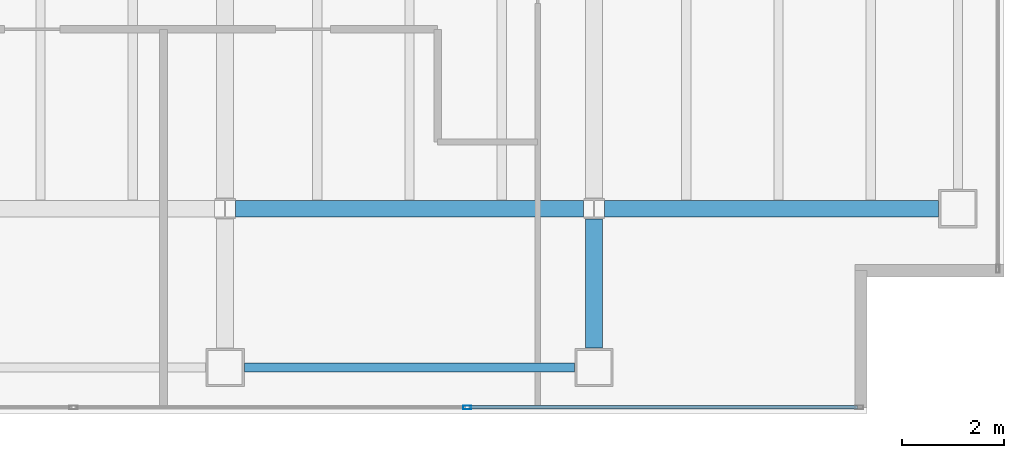
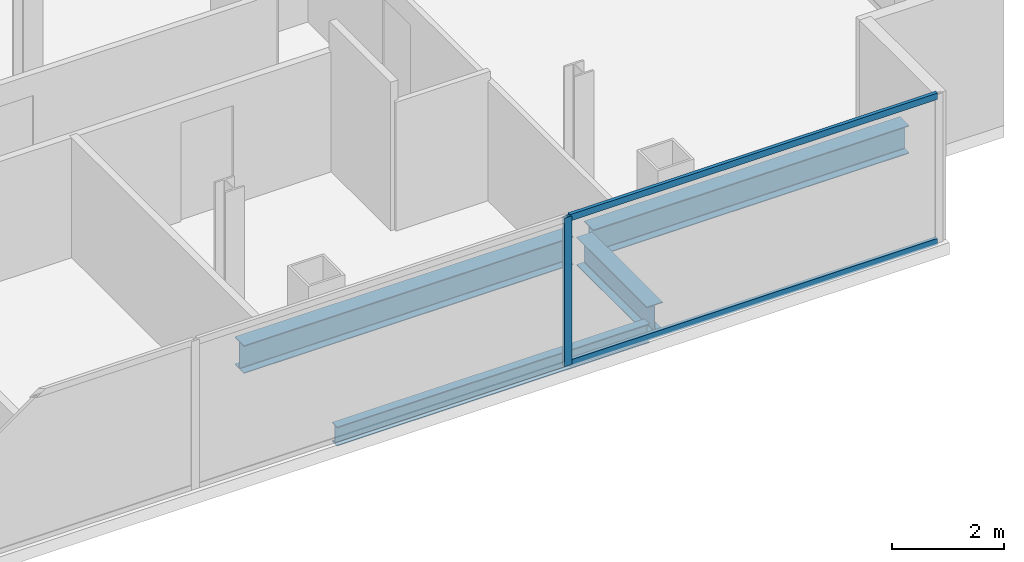
# One storey, part 10 of 23: 4 beams, 3 members, 1 element without a shape of its own.
"""IFC4 building model written with IfcOpenShell, lengths in metres."""

from ifc_helpers import new_model, si_unit, direction, frame, origin, origin_2d, place, context, subcontext, project, spatial, hollow_rectangle, i_section, extrude, material, material_profile, profile_set, type_object, element, aggregate, save


model = new_model("IFC4")

# Units and contexts
model_context = context("Model", 3, precision=1e-05, world=origin(), true_north=direction((0.0, 1.0)))
body_context = subcontext(model_context, "Body", "Model", "MODEL_VIEW")
ifc_project = project(units=[si_unit("LENGTHUNIT", "METRE"), si_unit("AREAUNIT", "SQUARE_METRE"), si_unit("VOLUMEUNIT", "CUBIC_METRE"), si_unit("PLANEANGLEUNIT", "RADIAN"), si_unit("MASSUNIT", "GRAM", prefix="KILO")], contexts=[model_context])

# Site, building, storey
site_placement = place(None, origin())
site = spatial("IfcSite", under=ifc_project, at=site_placement, CompositionType="ELEMENT")
building_placement = place(site_placement, origin())
building = spatial("IfcBuilding", under=site, at=building_placement, Name="Cobrela Telecom Tower", CompositionType="ELEMENT")
storey_placement = place(building_placement, frame((0.0, 0.0, 222.25)))
storey = spatial("IfcBuildingStorey", under=building, at=storey_placement, Name="L57", CompositionType="ELEMENT", Elevation=222.25)

# Beams
ifc_material_1 = material(Name="Steel ASTM A992 Grade 50", Category="steel")
ifc_material_profile_1 = material_profile(ifc_material_1, i_section(OverallWidth=0.324951171875, OverallDepth=0.612060546875, WebThickness=0.0126953125, FlangeThickness=0.01904296875, FilletRadius=0.014892578125, at=origin_2d()), Name="W24X104")
ifc_profile_set_1 = profile_set([ifc_material_profile_1], Name="Steel ASTM A992 Grade 50")
beam_type_1 = type_object("IfcBeamType", Name="BM-GIRD-07", PredefinedType="USERDEFINED", material=ifc_profile_set_1)
beam_1_placement = place(storey_placement, frame((29.00439453125, 7.199951171875, -0.56591796875), z_axis=(1.0, 0.0, 0.0), x_axis=(0.0, 1.0, 0.0)))
element("IfcBeam", 1, at=beam_1_placement, inside=storey, type_object=beam_type_1, Name="L57 Primary Girder X09", ObjectType="GIRDER", PredefinedType="USERDEFINED", context=body_context, shape_type="SweptSolid", body=[
    extrude(i_section(OverallWidth=0.324951171875, OverallDepth=0.612060546875, WebThickness=0.0126953125, FlangeThickness=0.01904296875, FilletRadius=0.014892578125, at=origin_2d()), origin(), (0.0, 0.0, 1.0), 6.791015625),
])
beam_2_placement = place(storey_placement, frame((36.20458984375, 7.199951171875, -0.56591796875), z_axis=(1.0, 0.0, 0.0), x_axis=(0.0, 1.0, 0.0)))
element("IfcBeam", 2, at=beam_2_placement, inside=storey, type_object=beam_type_1, Name="L57 Primary Girder X10", ObjectType="GIRDER", PredefinedType="USERDEFINED", context=body_context, shape_type="SweptSolid", body=[
    extrude(i_section(OverallWidth=0.324951171875, OverallDepth=0.612060546875, WebThickness=0.0126953125, FlangeThickness=0.01904296875, FilletRadius=0.014892578125, at=origin_2d()), origin(), (0.0, 0.0, 1.0), 6.515380859375),
])
beam_3_placement = place(storey_placement, frame((36.0, 4.47998046875, -0.56591796875), z_axis=(0.0, 1.0, 0.0), x_axis=(-1.0, 0.0, 0.0)))
element("IfcBeam", 3, at=beam_3_placement, inside=storey, type_object=beam_type_1, Name="L57 Primary Girder Y39", ObjectType="GIRDER", PredefinedType="USERDEFINED", context=body_context, shape_type="SweptSolid", body=[
    extrude(i_section(OverallWidth=0.324951171875, OverallDepth=0.612060546875, WebThickness=0.0126953125, FlangeThickness=0.01904296875, FilletRadius=0.014892578125, at=origin_2d()), origin(), (0.0, 0.0, 1.0), 2.515625),
])
ifc_material_profile_2 = material_profile(ifc_material_1, i_section(OverallWidth=0.179931640625, OverallDepth=0.4169921875, WebThickness=0.010986328125, FlangeThickness=0.01806640625, FilletRadius=0.011962890625, at=origin_2d()), Name="W16X57")
ifc_profile_set_2 = profile_set([ifc_material_profile_2], Name="Steel ASTM A992 Grade 50")
beam_type_2 = type_object("IfcBeamType", Name="BM-SPAND-06", PredefinedType="SPANDREL", material=ifc_profile_set_2)
beam_4_placement = place(storey_placement, frame((29.179931640625, 4.10009765625, -0.468505859375), z_axis=(1.0, 0.0, 0.0), x_axis=(0.0, 1.0, 0.0)))
element("IfcBeam", 4, at=beam_4_placement, inside=storey, type_object=beam_type_2, Name="L57 Perimeter Spandrel X04", PredefinedType="SPANDREL", context=body_context, shape_type="SweptSolid", body=[
    extrude(i_section(OverallWidth=0.179931640625, OverallDepth=0.4169921875, WebThickness=0.010986328125, FlangeThickness=0.01806640625, FilletRadius=0.011962890625, at=origin_2d()), origin(), (0.0, 0.0, 1.0), 6.440185546875),
])

# Curtain wall, members
ifc_material_2 = material(Name="Anodized Bronze Aluminium 6063-T6", Category="aluminium")
curtain_wall_type = type_object("IfcCurtainWallType", Name="CW-SYS-OFF-LO", PredefinedType="USERDEFINED", material=ifc_material_2)
curtain_wall_placement = place(storey_placement, origin())
curtain_wall = element("IfcCurtainWall", 5, at=curtain_wall_placement, inside=storey, type_object=curtain_wall_type, Name="L57 Unitised Bronze Curtain Wall 17", ObjectType="UNITISED CURTAIN WALL", PredefinedType="USERDEFINED")
ifc_material_profile_3 = material_profile(ifc_material_2, hollow_rectangle(XDim=0.070068359375, YDim=0.159912109375, WallThickness=0.00390625, at=origin_2d()), Name="ALU 70x160x4")
ifc_profile_set_3 = profile_set([ifc_material_profile_3], Name="Anodized Bronze Aluminium 6063-T6")
member_type_1 = type_object("IfcMemberType", Name="CW-SYS-OFF-LO-MUL", PredefinedType="MULLION", material=ifc_profile_set_3)
member_1_placement = place(storey_placement, frame((33.52587890625, 3.320068359375, 0.0), z_axis=(0.0, 0.0, 1.0), x_axis=(0.0, -1.0, 0.0)))
member_1 = element("IfcMember", 6, at=member_1_placement, type_object=member_type_1, Name="CW-OFF-LO mullion 2", PredefinedType="MULLION", context=body_context, shape_type="SweptSolid", body=[
    extrude(hollow_rectangle(XDim=0.070068359375, YDim=0.159912109375, WallThickness=0.00390625, at=origin_2d()), origin(), (0.0, 0.0, 1.0), 3.239990234375),
])
ifc_material_profile_4 = material_profile(ifc_material_2, hollow_rectangle(XDim=0.070068359375, YDim=0.139892578125, WallThickness=0.00390625, at=origin_2d()), Name="ALU 70x140x4")
ifc_profile_set_4 = profile_set([ifc_material_profile_4], Name="Anodized Bronze Aluminium 6063-T6")
member_type_2 = type_object("IfcMemberType", Name="CW-SYS-OFF-LO-TRN", PredefinedType="USERDEFINED", material=ifc_profile_set_4)
member_2_placement = place(storey_placement, frame((41.139892578125, 3.320068359375, 0.034912109375), z_axis=(-1.0, 0.0, 0.0), x_axis=(0.0, -1.0, 0.0)))
member_2 = element("IfcMember", 7, at=member_2_placement, type_object=member_type_2, Name="CW-OFF-LO transom 1.1", ObjectType="TRANSOM", PredefinedType="USERDEFINED", context=body_context, shape_type="SweptSolid", body=[
    extrude(hollow_rectangle(XDim=0.070068359375, YDim=0.139892578125, WallThickness=0.00390625, at=origin_2d()), origin(), (0.0, 0.0, 1.0), 7.578857421875),
])
member_3_placement = place(storey_placement, frame((41.139892578125, 3.320068359375, 3.205078125), z_axis=(-1.0, 0.0, 0.0), x_axis=(0.0, -1.0, 0.0)))
member_3 = element("IfcMember", 8, at=member_3_placement, type_object=member_type_2, Name="CW-OFF-LO transom 1.2", ObjectType="TRANSOM", PredefinedType="USERDEFINED", context=body_context, shape_type="SweptSolid", body=[
    extrude(hollow_rectangle(XDim=0.070068359375, YDim=0.139892578125, WallThickness=0.00390625, at=origin_2d()), origin(), (0.0, 0.0, 1.0), 7.578857421875),
])
aggregate(curtain_wall, [member_1, member_2, member_3])

save(model, "model.ifc")
